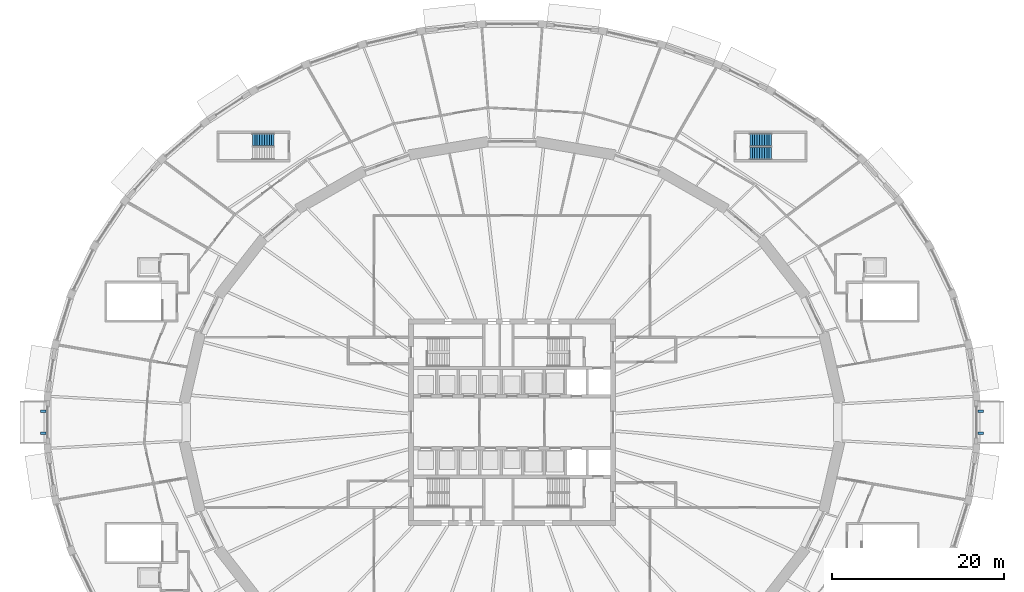
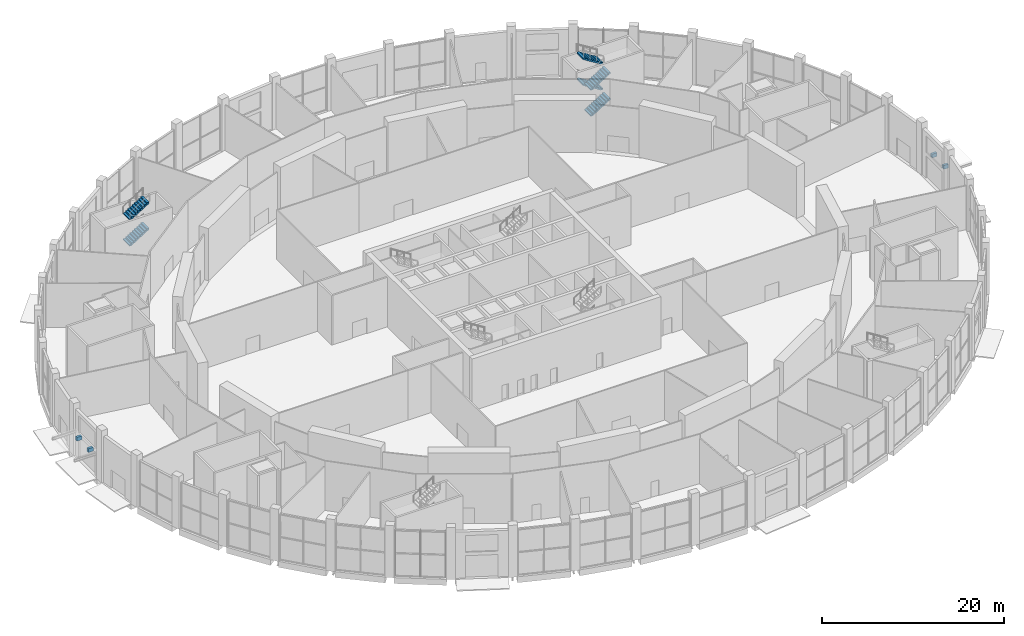
# One storey, part 30 of 33: 6 stair flights, 4 discrete accessories, 2 elements without a shape of their own.
"""IFC4 building model written with IfcOpenShell, lengths in metres."""

from ifc_helpers import new_model, si_unit, direction, frame, origin, origin_2d, place, context, subcontext, project, spatial, polyline, rectangle, outline, extrude, material, type_object, element, aggregate, save


model = new_model("IFC4")

# Units and contexts
model_context = context("Model", 3, precision=1e-05, world=origin(), true_north=direction((0.0, 1.0)))
body_context = subcontext(model_context, "Body", "Model", "MODEL_VIEW")
ifc_project = project(units=[si_unit("LENGTHUNIT", "METRE"), si_unit("AREAUNIT", "SQUARE_METRE"), si_unit("VOLUMEUNIT", "CUBIC_METRE"), si_unit("PLANEANGLEUNIT", "RADIAN"), si_unit("MASSUNIT", "GRAM", prefix="KILO")], contexts=[model_context])

# Site, building, storey
site_placement = place(None, origin())
site = spatial("IfcSite", under=ifc_project, at=site_placement, CompositionType="ELEMENT")
building_placement = place(site_placement, origin())
building = spatial("IfcBuilding", under=site, at=building_placement, Name="Halqa Exchange Tower", CompositionType="ELEMENT")
storey_placement = place(building_placement, origin())
storey = spatial("IfcBuildingStorey", under=building, at=storey_placement, Name="L00", CompositionType="ELEMENT", Elevation=0.0)

# Stair, stair flights
ifc_material = material(Name="Concrete C30/37", Category="concrete")
stair_type = type_object("IfcStairType", Name="Exit stair 1400 wide", PredefinedType="HALF_TURN_STAIR", material=ifc_material)
stair_1_placement = place(storey_placement, origin())
stair_1 = element("IfcStair", 1, at=stair_1_placement, inside=storey, type_object=stair_type, Name="Exit stair PS1", PredefinedType="HALF_TURN_STAIR")
stair_flight_type = type_object("IfcStairFlightType", Name="Stair flight 1400 wide", PredefinedType="STRAIGHT", material=ifc_material)
stair_flight_1_placement = place(storey_placement, frame((27.60009765625, 31.175048828125, 0.0), z_axis=(0.0, 0.0, 1.0), x_axis=(1.0, 0.0, 0.0)))
stair_flight_1 = element("IfcStairFlight", 2, at=stair_flight_1_placement, type_object=stair_flight_type, Name="PS1 flight 1", NumberOfRisers=10, NumberOfTreads=9, PredefinedType="STRAIGHT", RiserHeight=0.175, TreadLength=0.28, context=body_context, shape_type="SweptSolid", body=[
    extrude(outline(polyline([(0.0, 0.0), (0.0, 0.175048828125), (0.280029296875, 0.175048828125), (0.280029296875, 0.35009765625), (0.56005859375, 0.35009765625), (0.56005859375, 0.52490234375), (0.840087890625, 0.52490234375), (0.840087890625, 0.699951171875), (1.1201171875, 0.699951171875), (1.1201171875, 0.875), (1.39990234375, 0.875), (1.39990234375, 1.050048828125), (1.679931640625, 1.050048828125), (1.679931640625, 1.22509765625), (1.9599609375, 1.22509765625), (1.9599609375, 1.39990234375), (2.239990234375, 1.39990234375), (2.239990234375, 1.574951171875), (2.52001953125, 1.574951171875), (2.52001953125, 1.75), (2.52001953125, 1.398193359375), (0.28271484375, 0.0), (0.0, 0.0)])), frame((0.0, 0.699951171875, 0.0), z_axis=(0.0, -1.0, 0.0), x_axis=(1.0, 0.0, 0.0)), (0.0, 0.0, 1.0), 1.39990234375),
])
stair_flight_2_placement = place(storey_placement, frame((30.1201171875, 32.824951171875, 1.75), z_axis=(0.0, 0.0, 1.0), x_axis=(-1.0, 0.0, 0.0)))
stair_flight_2 = element("IfcStairFlight", 3, at=stair_flight_2_placement, type_object=stair_flight_type, Name="PS1 flight 2", NumberOfRisers=10, NumberOfTreads=9, PredefinedType="STRAIGHT", RiserHeight=0.175, TreadLength=0.28, context=body_context, shape_type="SweptSolid", body=[
    extrude(outline(polyline([(0.0, 0.0), (0.0, 0.175048828125), (0.280029296875, 0.175048828125), (0.280029296875, 0.35009765625), (0.56005859375, 0.35009765625), (0.56005859375, 0.52490234375), (0.840087890625, 0.52490234375), (0.840087890625, 0.699951171875), (1.1201171875, 0.699951171875), (1.1201171875, 0.875), (1.39990234375, 0.875), (1.39990234375, 1.050048828125), (1.679931640625, 1.050048828125), (1.679931640625, 1.22509765625), (1.9599609375, 1.22509765625), (1.9599609375, 1.39990234375), (2.239990234375, 1.39990234375), (2.239990234375, 1.574951171875), (2.52001953125, 1.574951171875), (2.52001953125, 1.75), (2.52001953125, 1.398193359375), (0.28271484375, 0.0), (0.0, 0.0)])), frame((0.0, 0.699951171875, 0.0), z_axis=(0.0, -1.0, 0.0), x_axis=(1.0, 0.0, 0.0)), (0.0, 0.0, 1.0), 1.39990234375),
])
stair_flight_3_placement = place(storey_placement, frame((27.60009765625, 31.175048828125, 3.5), z_axis=(0.0, 0.0, 1.0), x_axis=(1.0, 0.0, 0.0)))
stair_flight_3 = element("IfcStairFlight", 4, at=stair_flight_3_placement, type_object=stair_flight_type, Name="PS1 flight 3", NumberOfRisers=10, NumberOfTreads=9, PredefinedType="STRAIGHT", RiserHeight=0.175, TreadLength=0.28, context=body_context, shape_type="SweptSolid", body=[
    extrude(outline(polyline([(0.0, 0.0), (0.0, 0.175048828125), (0.280029296875, 0.175048828125), (0.280029296875, 0.35009765625), (0.56005859375, 0.35009765625), (0.56005859375, 0.52490234375), (0.840087890625, 0.52490234375), (0.840087890625, 0.699951171875), (1.1201171875, 0.699951171875), (1.1201171875, 0.875), (1.39990234375, 0.875), (1.39990234375, 1.050048828125), (1.679931640625, 1.050048828125), (1.679931640625, 1.22509765625), (1.9599609375, 1.22509765625), (1.9599609375, 1.39990234375), (2.239990234375, 1.39990234375), (2.239990234375, 1.574951171875), (2.52001953125, 1.574951171875), (2.52001953125, 1.75), (2.52001953125, 1.398193359375), (0.28271484375, 0.0), (0.0, 0.0)])), frame((0.0, 0.699951171875, 0.0), z_axis=(0.0, -1.0, 0.0), x_axis=(1.0, 0.0, 0.0)), (0.0, 0.0, 1.0), 1.39990234375),
])
stair_flight_4_placement = place(storey_placement, frame((30.1201171875, 32.824951171875, 5.25), z_axis=(0.0, 0.0, 1.0), x_axis=(-1.0, 0.0, 0.0)))
stair_flight_4 = element("IfcStairFlight", 5, at=stair_flight_4_placement, type_object=stair_flight_type, Name="PS1 flight 4", NumberOfRisers=10, NumberOfTreads=9, PredefinedType="STRAIGHT", RiserHeight=0.175, TreadLength=0.28, context=body_context, shape_type="SweptSolid", body=[
    extrude(outline(polyline([(0.0, 0.0), (0.0, 0.175048828125), (0.280029296875, 0.175048828125), (0.280029296875, 0.35009765625), (0.56005859375, 0.35009765625), (0.56005859375, 0.52490234375), (0.840087890625, 0.52490234375), (0.840087890625, 0.699951171875), (1.1201171875, 0.699951171875), (1.1201171875, 0.875), (1.39990234375, 0.875), (1.39990234375, 1.050048828125), (1.679931640625, 1.050048828125), (1.679931640625, 1.22509765625), (1.9599609375, 1.22509765625), (1.9599609375, 1.39990234375), (2.239990234375, 1.39990234375), (2.239990234375, 1.574951171875), (2.52001953125, 1.574951171875), (2.52001953125, 1.75), (2.52001953125, 1.398193359375), (0.28271484375, 0.0), (0.0, 0.0)])), frame((0.0, 0.699951171875, 0.0), z_axis=(0.0, -1.0, 0.0), x_axis=(1.0, 0.0, 0.0)), (0.0, 0.0, 1.0), 1.39990234375),
])
aggregate(stair_1, [stair_flight_1, stair_flight_2, stair_flight_3, stair_flight_4])

stair_2_placement = place(storey_placement, origin())
stair_2 = element("IfcStair", 6, at=stair_2_placement, inside=storey, type_object=stair_type, Name="Exit stair PS3", PredefinedType="HALF_TURN_STAIR")
stair_flight_5_placement = place(storey_placement, frame((-30.1201171875, 32.824951171875, 1.75), z_axis=(0.0, 0.0, 1.0), x_axis=(1.0, 0.0, 0.0)))
stair_flight_5 = element("IfcStairFlight", 7, at=stair_flight_5_placement, type_object=stair_flight_type, Name="PS3 flight 2", NumberOfRisers=10, NumberOfTreads=9, PredefinedType="STRAIGHT", RiserHeight=0.175, TreadLength=0.28, context=body_context, shape_type="SweptSolid", body=[
    extrude(outline(polyline([(0.0, 0.0), (0.0, 0.175048828125), (0.280029296875, 0.175048828125), (0.280029296875, 0.35009765625), (0.56005859375, 0.35009765625), (0.56005859375, 0.52490234375), (0.840087890625, 0.52490234375), (0.840087890625, 0.699951171875), (1.1201171875, 0.699951171875), (1.1201171875, 0.875), (1.39990234375, 0.875), (1.39990234375, 1.050048828125), (1.679931640625, 1.050048828125), (1.679931640625, 1.22509765625), (1.9599609375, 1.22509765625), (1.9599609375, 1.39990234375), (2.239990234375, 1.39990234375), (2.239990234375, 1.574951171875), (2.52001953125, 1.574951171875), (2.52001953125, 1.75), (2.52001953125, 1.398193359375), (0.28271484375, 0.0), (0.0, 0.0)])), frame((0.0, 0.699951171875, 0.0), z_axis=(0.0, -1.0, 0.0), x_axis=(1.0, 0.0, 0.0)), (0.0, 0.0, 1.0), 1.39990234375),
])
stair_flight_6_placement = place(storey_placement, frame((-30.1201171875, 32.824951171875, 5.25), z_axis=(0.0, 0.0, 1.0), x_axis=(1.0, 0.0, 0.0)))
stair_flight_6 = element("IfcStairFlight", 8, at=stair_flight_6_placement, type_object=stair_flight_type, Name="PS3 flight 4", NumberOfRisers=10, NumberOfTreads=9, PredefinedType="STRAIGHT", RiserHeight=0.175, TreadLength=0.28, context=body_context, shape_type="SweptSolid", body=[
    extrude(outline(polyline([(0.0, 0.0), (0.0, 0.175048828125), (0.280029296875, 0.175048828125), (0.280029296875, 0.35009765625), (0.56005859375, 0.35009765625), (0.56005859375, 0.52490234375), (0.840087890625, 0.52490234375), (0.840087890625, 0.699951171875), (1.1201171875, 0.699951171875), (1.1201171875, 0.875), (1.39990234375, 0.875), (1.39990234375, 1.050048828125), (1.679931640625, 1.050048828125), (1.679931640625, 1.22509765625), (1.9599609375, 1.22509765625), (1.9599609375, 1.39990234375), (2.239990234375, 1.39990234375), (2.239990234375, 1.574951171875), (2.52001953125, 1.574951171875), (2.52001953125, 1.75), (2.52001953125, 1.398193359375), (0.28271484375, 0.0), (0.0, 0.0)])), frame((0.0, 0.699951171875, 0.0), z_axis=(0.0, -1.0, 0.0), x_axis=(1.0, 0.0, 0.0)), (0.0, 0.0, 1.0), 1.39990234375),
])
aggregate(stair_2, [stair_flight_5, stair_flight_6])

# Discrete accessories
for number, where, z_axis, x_axis, name in (
    (9, (-54.384521484375, 1.26416015625, 2.949951171875), (0.0, 0.0, 1.0), (0.0, -1.0, 0.0), "Canopy bracket 5.1"),
    (10, (-54.384521484375, -1.26416015625, 2.949951171875), (0.0, 0.0, 1.0), (0.0, -1.0, 0.0), "Canopy bracket 5.2"),
    (11, (54.384521484375, -1.26416015625, 2.949951171875), (0.0, 0.0, 1.0), (0.0, 1.0, 0.0), "Canopy bracket 9.1"),
    (12, (54.384521484375, 1.26416015625, 2.949951171875), (0.0, 0.0, 1.0), (0.0, 1.0, 0.0), "Canopy bracket 9.2"),
):
    element("IfcDiscreteAccessory", number, at=place(storey_placement, frame(where, z_axis=z_axis, x_axis=x_axis)), inside=storey, Name=name, PredefinedType="BRACKET", context=body_context, shape_type="SweptSolid", body=[
        extrude(rectangle(XDim=0.300048828125, YDim=0.60009765625, at=origin_2d()), origin(), (0.0, 0.0, 1.0), 0.5),
    ])

save(model, "model.ifc")
